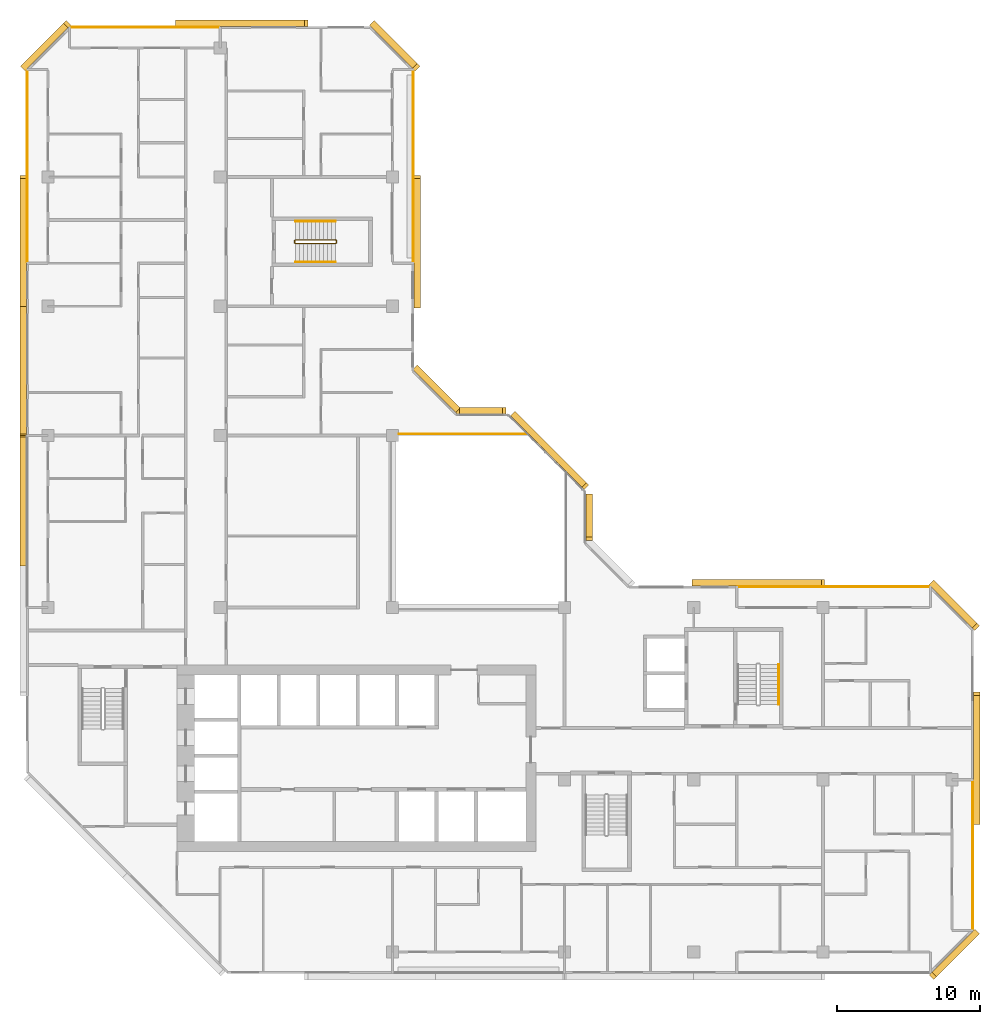
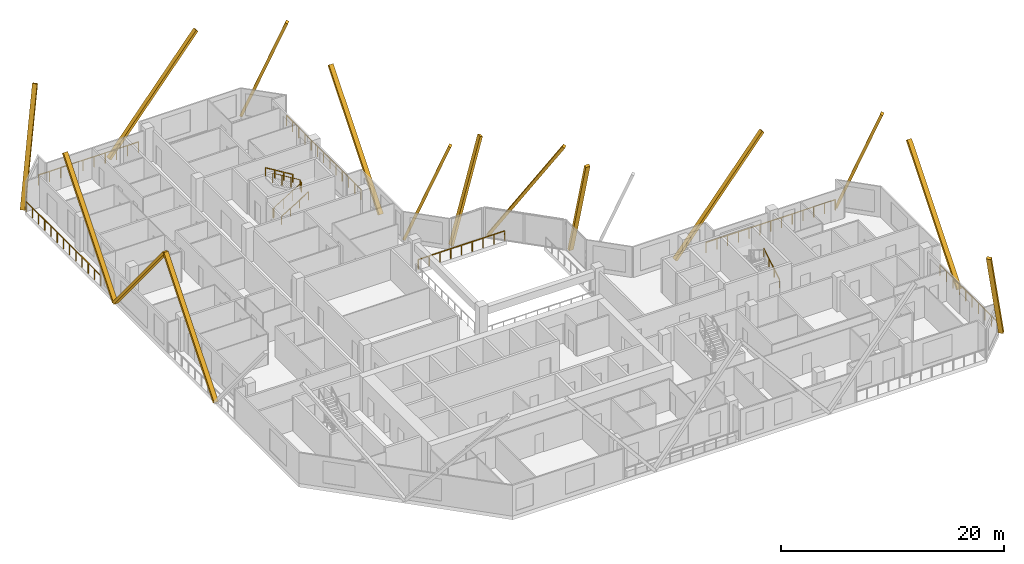
# One storey, part 14 of 14: 15 coverings, 10 railings.
"""IFC4 building model written with IfcOpenShell, lengths in metres."""

from ifc_helpers import new_model, si_unit, direction, frame, origin, origin_2d, place, context, subcontext, project, spatial, rectangle, extrude, material, material_profile, profile_set, type_object, element, save


model = new_model("IFC4")

# Units and contexts
model_context = context("Model", 3, precision=1e-05, world=origin(), true_north=direction((0.0, 1.0)))
body_context = subcontext(model_context, "Body", "Model", "MODEL_VIEW")
ifc_project = project(units=[si_unit("LENGTHUNIT", "METRE"), si_unit("AREAUNIT", "SQUARE_METRE"), si_unit("VOLUMEUNIT", "CUBIC_METRE"), si_unit("PLANEANGLEUNIT", "RADIAN"), si_unit("MASSUNIT", "GRAM", prefix="KILO")], contexts=[model_context])

# Site, building, storey
site_placement = place(None, origin())
site = spatial("IfcSite", under=ifc_project, at=site_placement, CompositionType="ELEMENT")
building_placement = place(site_placement, origin())
building = spatial("IfcBuilding", under=site, at=building_placement, Name="Chenar Terraces", CompositionType="ELEMENT")
storey_placement = place(building_placement, frame((0.0, 0.0, 234.14990234375)))
storey = spatial("IfcBuildingStorey", under=building, at=storey_placement, Name="L55", CompositionType="ELEMENT", Elevation=234.14990234375)

# Railings
ifc_material_1 = material(Name="Powder-coated steel", Category="steel")
railing_type_1 = type_object("IfcRailingType", Name="Guard 1100 steel rail with glass infill", PredefinedType="GUARDRAIL", material=ifc_material_1)
railing_1_placement = place(storey_placement, frame((24.47509765625, 36.10009765625, 0.0)))
element("IfcRailing", 1, at=railing_1_placement, inside=storey, type_object=railing_type_1, Name="Guard L55-2", PredefinedType="GUARDRAIL", context=body_context, shape_type="SweptSolid", body=[
    extrude(rectangle(XDim=0.06005859375, YDim=0.06005859375, at=origin_2d()), frame((0.0, 0.0, 1.070068359375), z_axis=(1.0, 0.0, 0.0), x_axis=(0.0, 1.0, 0.0)), (0.0, 0.0, 1.0), 8.9248046875),
    extrude(rectangle(XDim=0.050048828125, YDim=0.050048828125, at=origin_2d()), origin(), (0.0, 0.0, 1.0), 1.0400390625),
    extrude(rectangle(XDim=0.050048828125, YDim=0.050048828125, at=origin_2d()), frame((1.11572265625, 0.0, 0.0)), (0.0, 0.0, 1.0), 1.0400390625),
    extrude(rectangle(XDim=0.050048828125, YDim=0.050048828125, at=origin_2d()), frame((2.231201171875, 0.0, 0.0)), (0.0, 0.0, 1.0), 1.0400390625),
    extrude(rectangle(XDim=0.050048828125, YDim=0.050048828125, at=origin_2d()), frame((3.3466796875, 0.0, 0.0)), (0.0, 0.0, 1.0), 1.0400390625),
    extrude(rectangle(XDim=0.050048828125, YDim=0.050048828125, at=origin_2d()), frame((4.46240234375, 0.0, 0.0)), (0.0, 0.0, 1.0), 1.0400390625),
    extrude(rectangle(XDim=0.050048828125, YDim=0.050048828125, at=origin_2d()), frame((5.578125, 0.0, 0.0)), (0.0, 0.0, 1.0), 1.0400390625),
    extrude(rectangle(XDim=0.050048828125, YDim=0.050048828125, at=origin_2d()), frame((6.693603515625, 0.0, 0.0)), (0.0, 0.0, 1.0), 1.0400390625),
    extrude(rectangle(XDim=0.050048828125, YDim=0.050048828125, at=origin_2d()), frame((7.80908203125, 0.0, 0.0)), (0.0, 0.0, 1.0), 1.0400390625),
    extrude(rectangle(XDim=0.050048828125, YDim=0.050048828125, at=origin_2d()), frame((8.9248046875, 0.0, 0.0)), (0.0, 0.0, 1.0), 1.0400390625),
])
ifc_material_2 = material(Name="Stainless steel and glass", Category="steel")
railing_type_2 = type_object("IfcRailingType", Name="Loggia guard 1150", PredefinedType="GUARDRAIL", material=ifc_material_2)
railing_2_placement = place(storey_placement, frame((25.449951171875, 48.074951171875, 0.0)))
element("IfcRailing", 2, at=railing_2_placement, inside=storey, type_object=railing_type_2, Name="Loggia guard", PredefinedType="GUARDRAIL", context=body_context, shape_type="SweptSolid", body=[
    extrude(rectangle(XDim=0.048095703125, YDim=0.048095703125, at=origin_2d()), frame((0.0, 0.0, 1.1259765625), z_axis=(0.0, 1.0, 0.0), x_axis=(-1.0, 0.0, 0.0)), (0.0, 0.0, 1.0), 13.35009765625),
    extrude(rectangle(XDim=0.0419921875, YDim=0.0419921875, at=origin_2d()), origin(), (0.0, 0.0, 1.0), 1.101806640625),
    extrude(rectangle(XDim=0.0419921875, YDim=0.0419921875, at=origin_2d()), frame((0.0, 1.112548828125, 0.0)), (0.0, 0.0, 1.0), 1.101806640625),
    extrude(rectangle(XDim=0.0419921875, YDim=0.0419921875, at=origin_2d()), frame((0.0, 2.22509765625, 0.0)), (0.0, 0.0, 1.0), 1.101806640625),
    extrude(rectangle(XDim=0.0419921875, YDim=0.0419921875, at=origin_2d()), frame((0.0, 3.33740234375, 0.0)), (0.0, 0.0, 1.0), 1.101806640625),
    extrude(rectangle(XDim=0.0419921875, YDim=0.0419921875, at=origin_2d()), frame((0.0, 4.449951171875, 0.0)), (0.0, 0.0, 1.0), 1.101806640625),
    extrude(rectangle(XDim=0.0419921875, YDim=0.0419921875, at=origin_2d()), frame((0.0, 5.5625, 0.0)), (0.0, 0.0, 1.0), 1.101806640625),
    extrude(rectangle(XDim=0.0419921875, YDim=0.0419921875, at=origin_2d()), frame((0.0, 6.675048828125, 0.0)), (0.0, 0.0, 1.0), 1.101806640625),
    extrude(rectangle(XDim=0.0419921875, YDim=0.0419921875, at=origin_2d()), frame((0.0, 7.78759765625, 0.0)), (0.0, 0.0, 1.0), 1.101806640625),
    extrude(rectangle(XDim=0.0419921875, YDim=0.0419921875, at=origin_2d()), frame((0.0, 8.900146484375, 0.0)), (0.0, 0.0, 1.0), 1.101806640625),
    extrude(rectangle(XDim=0.0419921875, YDim=0.0419921875, at=origin_2d()), frame((0.0, 10.0126953125, 0.0)), (0.0, 0.0, 1.0), 1.101806640625),
    extrude(rectangle(XDim=0.0419921875, YDim=0.0419921875, at=origin_2d()), frame((0.0, 11.125, 0.0)), (0.0, 0.0, 1.0), 1.101806640625),
    extrude(rectangle(XDim=0.0419921875, YDim=0.0419921875, at=origin_2d()), frame((0.0, 12.237548828125, 0.0)), (0.0, 0.0, 1.0), 1.101806640625),
    extrude(rectangle(XDim=0.0419921875, YDim=0.0419921875, at=origin_2d()), frame((0.0, 13.35009765625, 0.0)), (0.0, 0.0, 1.0), 1.101806640625),
])
railing_3_placement = place(storey_placement, frame((64.449951171875, 1.574951171875, 0.0)))
element("IfcRailing", 3, at=railing_3_placement, inside=storey, type_object=railing_type_2, Name="Loggia guard", PredefinedType="GUARDRAIL", context=body_context, shape_type="SweptSolid", body=[
    extrude(rectangle(XDim=0.048095703125, YDim=0.048095703125, at=origin_2d()), frame((0.0, 0.0, 1.1259765625), z_axis=(0.0, 1.0, 0.0), x_axis=(-1.0, 0.0, 0.0)), (0.0, 0.0, 1.0), 10.35009765625),
    extrude(rectangle(XDim=0.0419921875, YDim=0.0419921875, at=origin_2d()), origin(), (0.0, 0.0, 1.0), 1.101806640625),
    extrude(rectangle(XDim=0.0419921875, YDim=0.0419921875, at=origin_2d()), frame((0.0, 1.14990234375, 0.0)), (0.0, 0.0, 1.0), 1.101806640625),
    extrude(rectangle(XDim=0.0419921875, YDim=0.0419921875, at=origin_2d()), frame((0.0, 2.300048828125, 0.0)), (0.0, 0.0, 1.0), 1.101806640625),
    extrude(rectangle(XDim=0.0419921875, YDim=0.0419921875, at=origin_2d()), frame((0.0, 3.449951171875, 0.0)), (0.0, 0.0, 1.0), 1.101806640625),
    extrude(rectangle(XDim=0.0419921875, YDim=0.0419921875, at=origin_2d()), frame((0.0, 4.60009765625, 0.0)), (0.0, 0.0, 1.0), 1.101806640625),
    extrude(rectangle(XDim=0.0419921875, YDim=0.0419921875, at=origin_2d()), frame((0.0, 5.75, 0.0)), (0.0, 0.0, 1.0), 1.101806640625),
    extrude(rectangle(XDim=0.0419921875, YDim=0.0419921875, at=origin_2d()), frame((0.0, 6.900146484375, 0.0)), (0.0, 0.0, 1.0), 1.101806640625),
    extrude(rectangle(XDim=0.0419921875, YDim=0.0419921875, at=origin_2d()), frame((0.0, 8.050048828125, 0.0)), (0.0, 0.0, 1.0), 1.101806640625),
    extrude(rectangle(XDim=0.0419921875, YDim=0.0419921875, at=origin_2d()), frame((0.0, 9.2001953125, 0.0)), (0.0, 0.0, 1.0), 1.101806640625),
    extrude(rectangle(XDim=0.0419921875, YDim=0.0419921875, at=origin_2d()), frame((0.0, 10.35009765625, 0.0)), (0.0, 0.0, 1.0), 1.101806640625),
])
railing_4_placement = place(storey_placement, frame((61.425048828125, 25.449951171875, 0.0)))
element("IfcRailing", 4, at=railing_4_placement, inside=storey, type_object=railing_type_2, Name="Loggia guard", PredefinedType="GUARDRAIL", context=body_context, shape_type="SweptSolid", body=[
    extrude(rectangle(XDim=0.048095703125, YDim=0.048095703125, at=origin_2d()), frame((0.0, 0.0, 1.1259765625), z_axis=(-1.0, 0.0, 0.0), x_axis=(0.0, -1.0, 0.0)), (0.0, 0.0, 1.0), 13.35009765625),
    extrude(rectangle(XDim=0.0419921875, YDim=0.0419921875, at=origin_2d()), origin(), (0.0, 0.0, 1.0), 1.101806640625),
    extrude(rectangle(XDim=0.0419921875, YDim=0.0419921875, at=origin_2d()), frame((-1.112548828125, 0.0, 0.0)), (0.0, 0.0, 1.0), 1.101806640625),
    extrude(rectangle(XDim=0.0419921875, YDim=0.0419921875, at=origin_2d()), frame((-2.22509765625, 0.0, 0.0)), (0.0, 0.0, 1.0), 1.101806640625),
    extrude(rectangle(XDim=0.0419921875, YDim=0.0419921875, at=origin_2d()), frame((-3.33740234375, 0.0, 0.0)), (0.0, 0.0, 1.0), 1.101806640625),
    extrude(rectangle(XDim=0.0419921875, YDim=0.0419921875, at=origin_2d()), frame((-4.449951171875, 0.0, 0.0)), (0.0, 0.0, 1.0), 1.101806640625),
    extrude(rectangle(XDim=0.0419921875, YDim=0.0419921875, at=origin_2d()), frame((-5.5625, 0.0, 0.0)), (0.0, 0.0, 1.0), 1.101806640625),
    extrude(rectangle(XDim=0.0419921875, YDim=0.0419921875, at=origin_2d()), frame((-6.675048828125, 0.0, 0.0)), (0.0, 0.0, 1.0), 1.101806640625),
    extrude(rectangle(XDim=0.0419921875, YDim=0.0419921875, at=origin_2d()), frame((-7.78759765625, 0.0, 0.0)), (0.0, 0.0, 1.0), 1.101806640625),
    extrude(rectangle(XDim=0.0419921875, YDim=0.0419921875, at=origin_2d()), frame((-8.900146484375, 0.0, 0.0)), (0.0, 0.0, 1.0), 1.101806640625),
    extrude(rectangle(XDim=0.0419921875, YDim=0.0419921875, at=origin_2d()), frame((-10.0126953125, 0.0, 0.0)), (0.0, 0.0, 1.0), 1.101806640625),
    extrude(rectangle(XDim=0.0419921875, YDim=0.0419921875, at=origin_2d()), frame((-11.125, 0.0, 0.0)), (0.0, 0.0, 1.0), 1.101806640625),
    extrude(rectangle(XDim=0.0419921875, YDim=0.0419921875, at=origin_2d()), frame((-12.237548828125, 0.0, 0.0)), (0.0, 0.0, 1.0), 1.101806640625),
    extrude(rectangle(XDim=0.0419921875, YDim=0.0419921875, at=origin_2d()), frame((-13.35009765625, 0.0, 0.0)), (0.0, 0.0, 1.0), 1.101806640625),
])
railing_5_placement = place(storey_placement, frame((11.925048828125, 64.449951171875, 0.0)))
element("IfcRailing", 5, at=railing_5_placement, inside=storey, type_object=railing_type_2, Name="Loggia guard", PredefinedType="GUARDRAIL", context=body_context, shape_type="SweptSolid", body=[
    extrude(rectangle(XDim=0.048095703125, YDim=0.048095703125, at=origin_2d()), frame((0.0, 0.0, 1.1259765625), z_axis=(-1.0, 0.0, 0.0), x_axis=(0.0, -1.0, 0.0)), (0.0, 0.0, 1.0), 10.35009765625),
    extrude(rectangle(XDim=0.0419921875, YDim=0.0419921875, at=origin_2d()), origin(), (0.0, 0.0, 1.0), 1.101806640625),
    extrude(rectangle(XDim=0.0419921875, YDim=0.0419921875, at=origin_2d()), frame((-1.14990234375, 0.0, 0.0)), (0.0, 0.0, 1.0), 1.101806640625),
    extrude(rectangle(XDim=0.0419921875, YDim=0.0419921875, at=origin_2d()), frame((-2.300048828125, 0.0, 0.0)), (0.0, 0.0, 1.0), 1.101806640625),
    extrude(rectangle(XDim=0.0419921875, YDim=0.0419921875, at=origin_2d()), frame((-3.449951171875, 0.0, 0.0)), (0.0, 0.0, 1.0), 1.101806640625),
    extrude(rectangle(XDim=0.0419921875, YDim=0.0419921875, at=origin_2d()), frame((-4.60009765625, 0.0, 0.0)), (0.0, 0.0, 1.0), 1.101806640625),
    extrude(rectangle(XDim=0.0419921875, YDim=0.0419921875, at=origin_2d()), frame((-5.75, 0.0, 0.0)), (0.0, 0.0, 1.0), 1.101806640625),
    extrude(rectangle(XDim=0.0419921875, YDim=0.0419921875, at=origin_2d()), frame((-6.900146484375, 0.0, 0.0)), (0.0, 0.0, 1.0), 1.101806640625),
    extrude(rectangle(XDim=0.0419921875, YDim=0.0419921875, at=origin_2d()), frame((-8.050048828125, 0.0, 0.0)), (0.0, 0.0, 1.0), 1.101806640625),
    extrude(rectangle(XDim=0.0419921875, YDim=0.0419921875, at=origin_2d()), frame((-9.2001953125, 0.0, 0.0)), (0.0, 0.0, 1.0), 1.101806640625),
    extrude(rectangle(XDim=0.0419921875, YDim=0.0419921875, at=origin_2d()), frame((-10.35009765625, 0.0, 0.0)), (0.0, 0.0, 1.0), 1.101806640625),
])
railing_6_placement = place(storey_placement, frame((-1.449951171875, 61.425048828125, 0.0)))
element("IfcRailing", 6, at=railing_6_placement, inside=storey, type_object=railing_type_2, Name="Loggia guard", PredefinedType="GUARDRAIL", context=body_context, shape_type="SweptSolid", body=[
    extrude(rectangle(XDim=0.048095703125, YDim=0.048095703125, at=origin_2d()), frame((0.0, 0.0, 1.1259765625), z_axis=(0.0, -1.0, 0.0), x_axis=(1.0, 0.0, 0.0)), (0.0, 0.0, 1.0), 13.35009765625),
    extrude(rectangle(XDim=0.0419921875, YDim=0.0419921875, at=origin_2d()), origin(), (0.0, 0.0, 1.0), 1.101806640625),
    extrude(rectangle(XDim=0.0419921875, YDim=0.0419921875, at=origin_2d()), frame((0.0, -1.112548828125, 0.0)), (0.0, 0.0, 1.0), 1.101806640625),
    extrude(rectangle(XDim=0.0419921875, YDim=0.0419921875, at=origin_2d()), frame((0.0, -2.22509765625, 0.0)), (0.0, 0.0, 1.0), 1.101806640625),
    extrude(rectangle(XDim=0.0419921875, YDim=0.0419921875, at=origin_2d()), frame((0.0, -3.33740234375, 0.0)), (0.0, 0.0, 1.0), 1.101806640625),
    extrude(rectangle(XDim=0.0419921875, YDim=0.0419921875, at=origin_2d()), frame((0.0, -4.449951171875, 0.0)), (0.0, 0.0, 1.0), 1.101806640625),
    extrude(rectangle(XDim=0.0419921875, YDim=0.0419921875, at=origin_2d()), frame((0.0, -5.5625, 0.0)), (0.0, 0.0, 1.0), 1.101806640625),
    extrude(rectangle(XDim=0.0419921875, YDim=0.0419921875, at=origin_2d()), frame((0.0, -6.675048828125, 0.0)), (0.0, 0.0, 1.0), 1.101806640625),
    extrude(rectangle(XDim=0.0419921875, YDim=0.0419921875, at=origin_2d()), frame((0.0, -7.78759765625, 0.0)), (0.0, 0.0, 1.0), 1.101806640625),
    extrude(rectangle(XDim=0.0419921875, YDim=0.0419921875, at=origin_2d()), frame((0.0, -8.900146484375, 0.0)), (0.0, 0.0, 1.0), 1.101806640625),
    extrude(rectangle(XDim=0.0419921875, YDim=0.0419921875, at=origin_2d()), frame((0.0, -10.0126953125, 0.0)), (0.0, 0.0, 1.0), 1.101806640625),
    extrude(rectangle(XDim=0.0419921875, YDim=0.0419921875, at=origin_2d()), frame((0.0, -11.125, 0.0)), (0.0, 0.0, 1.0), 1.101806640625),
    extrude(rectangle(XDim=0.0419921875, YDim=0.0419921875, at=origin_2d()), frame((0.0, -12.237548828125, 0.0)), (0.0, 0.0, 1.0), 1.101806640625),
    extrude(rectangle(XDim=0.0419921875, YDim=0.0419921875, at=origin_2d()), frame((0.0, -13.35009765625, 0.0)), (0.0, 0.0, 1.0), 1.101806640625),
])
ifc_material_3 = material(Name="Powder-coated steel", Category="steel")
railing_type_3 = type_object("IfcRailingType", Name="Stair guard 1100", PredefinedType="GUARDRAIL", material=ifc_material_3)
railing_7_placement = place(storey_placement, frame((17.25, 49.625, 3.75)))
element("IfcRailing", 7, at=railing_7_placement, inside=storey, type_object=railing_type_3, Name="L55 ST4 stair guard 1", PredefinedType="GUARDRAIL", context=body_context, shape_type="SweptSolid", body=[
    extrude(rectangle(XDim=0.048095703125, YDim=0.048095703125, at=origin_2d()), frame((0.0, 0.0, 1.076171875), z_axis=(0.854202870247, 0.0, -0.519939858505), x_axis=(0.0, 1.0, 0.0)), (0.0, 0.0, 1.0), 3.278076171875),
    extrude(rectangle(XDim=0.048095703125, YDim=0.048095703125, at=origin_2d()), frame((2.800048828125, 0.0, -0.62841796875), z_axis=(0.270899902878, -0.270899902878, -0.923702595667), x_axis=(0.707106781187, 0.707106781187, 0.0)), (0.0, 0.0, 1.0), 0.184814453125),
    extrude(rectangle(XDim=0.048095703125, YDim=0.048095703125, at=origin_2d()), frame((2.85009765625, -0.050048828125, -0.798828125), z_axis=(0.0, -1.0, 0.0), x_axis=(1.0, 0.0, 0.0)), (0.0, 0.0, 1.0), 0.14990234375),
    extrude(rectangle(XDim=0.048095703125, YDim=0.048095703125, at=origin_2d()), frame((2.85009765625, -0.199951171875, -0.798828125), z_axis=(-0.707106781187, -0.707106781187, 0.0), x_axis=(0.707106781187, -0.707106781187, 0.0)), (0.0, 0.0, 1.0), 0.07080078125),
    extrude(rectangle(XDim=0.048095703125, YDim=0.048095703125, at=origin_2d()), frame((2.800048828125, -0.25, -0.798828125), z_axis=(-0.854202870247, 0.0, -0.519939858505), x_axis=(0.0, -1.0, 0.0)), (0.0, 0.0, 1.0), 3.278076171875),
    extrude(rectangle(XDim=0.048095703125, YDim=0.048095703125, at=origin_2d()), frame((0.0, -0.25, -2.50341796875), z_axis=(-0.270899902878, 0.270899902878, -0.923702595667), x_axis=(-0.707106781187, -0.707106781187, 0.0)), (0.0, 0.0, 1.0), 0.184814453125),
    extrude(rectangle(XDim=0.048095703125, YDim=0.048095703125, at=origin_2d()), frame((-0.050048828125, -0.199951171875, -2.673828125), z_axis=(0.0, 1.0, 0.0), x_axis=(-1.0, 0.0, 0.0)), (0.0, 0.0, 1.0), 0.14990234375),
    extrude(rectangle(XDim=0.0419921875, YDim=0.0419921875, at=origin_2d()), origin(), (0.0, 0.0, 1.0), 1.052001953125),
    extrude(rectangle(XDim=0.0419921875, YDim=0.0419921875, at=origin_2d()), frame((0.933349609375, 0.0, -0.568115234375)), (0.0, 0.0, 1.0), 1.052001953125),
    extrude(rectangle(XDim=0.0419921875, YDim=0.0419921875, at=origin_2d()), frame((1.86669921875, 0.0, -1.13623046875)), (0.0, 0.0, 1.0), 1.052001953125),
    extrude(rectangle(XDim=0.0419921875, YDim=0.0419921875, at=origin_2d()), frame((2.800048828125, 0.0, -1.704345703125)), (0.0, 0.0, 1.0), 1.052001953125),
    extrude(rectangle(XDim=0.0419921875, YDim=0.0419921875, at=origin_2d()), frame((2.85009765625, -0.050048828125, -1.875)), (0.0, 0.0, 1.0), 1.052001953125),
    extrude(rectangle(XDim=0.0419921875, YDim=0.0419921875, at=origin_2d()), frame((2.85009765625, -0.199951171875, -1.875)), (0.0, 0.0, 1.0), 1.052001953125),
    extrude(rectangle(XDim=0.0419921875, YDim=0.0419921875, at=origin_2d()), frame((2.800048828125, -0.25, -1.875)), (0.0, 0.0, 1.0), 1.052001953125),
    extrude(rectangle(XDim=0.0419921875, YDim=0.0419921875, at=origin_2d()), frame((1.86669921875, -0.25, -2.443115234375)), (0.0, 0.0, 1.0), 1.052001953125),
    extrude(rectangle(XDim=0.0419921875, YDim=0.0419921875, at=origin_2d()), frame((0.933349609375, -0.25, -3.01123046875)), (0.0, 0.0, 1.0), 1.052001953125),
    extrude(rectangle(XDim=0.0419921875, YDim=0.0419921875, at=origin_2d()), frame((0.0, -0.25, -3.579345703125)), (0.0, 0.0, 1.0), 1.052001953125),
    extrude(rectangle(XDim=0.0419921875, YDim=0.0419921875, at=origin_2d()), frame((-0.050048828125, -0.199951171875, -3.75)), (0.0, 0.0, 1.0), 1.052001953125),
    extrude(rectangle(XDim=0.0419921875, YDim=0.0419921875, at=origin_2d()), frame((-0.050048828125, -0.050048828125, -3.75)), (0.0, 0.0, 1.0), 1.052001953125),
])
ifc_material_4 = material(Name="Powder-coated steel", Category="steel")
railing_type_4 = type_object("IfcRailingType", Name="Stair handrail 900", PredefinedType="HANDRAIL", material=ifc_material_4)
railing_8_placement = place(storey_placement, frame((50.925048828125, 17.25, 0.170654296875)))
element("IfcRailing", 8, at=railing_8_placement, inside=storey, type_object=railing_type_4, Name="L55 ST3 stair handrail 1", PredefinedType="HANDRAIL", context=body_context, shape_type="SweptSolid", body=[
    extrude(rectangle(XDim=0.048095703125, YDim=0.048095703125, at=origin_2d()), frame((0.0, 0.0, 0.8759765625), z_axis=(0.0, 0.854202870247, 0.519939858505), x_axis=(-1.0, 0.0, 0.0)), (0.0, 0.0, 1.0), 3.278076171875),
    extrude(rectangle(XDim=0.0419921875, YDim=0.0419921875, at=origin_2d()), origin(), (0.0, 0.0, 1.0), 0.851806640625),
    extrude(rectangle(XDim=0.0419921875, YDim=0.0419921875, at=origin_2d()), frame((0.0, 0.933349609375, 0.568115234375)), (0.0, 0.0, 1.0), 0.851806640625),
    extrude(rectangle(XDim=0.0419921875, YDim=0.0419921875, at=origin_2d()), frame((0.0, 1.86669921875, 1.13623046875)), (0.0, 0.0, 1.0), 0.851806640625),
    extrude(rectangle(XDim=0.0419921875, YDim=0.0419921875, at=origin_2d()), frame((0.0, 2.800048828125, 1.704345703125)), (0.0, 0.0, 1.0), 0.851806640625),
])
railing_9_placement = place(storey_placement, frame((17.25, 48.074951171875, 0.170654296875)))
element("IfcRailing", 9, at=railing_9_placement, inside=storey, type_object=railing_type_4, Name="L55 ST4 stair handrail 1", PredefinedType="HANDRAIL", context=body_context, shape_type="SweptSolid", body=[
    extrude(rectangle(XDim=0.048095703125, YDim=0.048095703125, at=origin_2d()), frame((0.0, 0.0, 0.8759765625), z_axis=(0.854202870247, 0.0, 0.519939858505), x_axis=(0.0, 1.0, 0.0)), (0.0, 0.0, 1.0), 3.278076171875),
    extrude(rectangle(XDim=0.0419921875, YDim=0.0419921875, at=origin_2d()), origin(), (0.0, 0.0, 1.0), 0.851806640625),
    extrude(rectangle(XDim=0.0419921875, YDim=0.0419921875, at=origin_2d()), frame((0.933349609375, 0.0, 0.568115234375)), (0.0, 0.0, 1.0), 0.851806640625),
    extrude(rectangle(XDim=0.0419921875, YDim=0.0419921875, at=origin_2d()), frame((1.86669921875, 0.0, 1.13623046875)), (0.0, 0.0, 1.0), 0.851806640625),
    extrude(rectangle(XDim=0.0419921875, YDim=0.0419921875, at=origin_2d()), frame((2.800048828125, 0.0, 1.704345703125)), (0.0, 0.0, 1.0), 0.851806640625),
])
railing_10_placement = place(storey_placement, frame((20.050048828125, 50.925048828125, 2.045654296875)))
element("IfcRailing", 10, at=railing_10_placement, inside=storey, type_object=railing_type_4, Name="L55 ST4 stair handrail 2", PredefinedType="HANDRAIL", context=body_context, shape_type="SweptSolid", body=[
    extrude(rectangle(XDim=0.048095703125, YDim=0.048095703125, at=origin_2d()), frame((0.0, 0.0, 0.8759765625), z_axis=(-0.854202870247, 0.0, 0.519939858505), x_axis=(0.0, -1.0, 0.0)), (0.0, 0.0, 1.0), 3.278076171875),
    extrude(rectangle(XDim=0.0419921875, YDim=0.0419921875, at=origin_2d()), origin(), (0.0, 0.0, 1.0), 0.851806640625),
    extrude(rectangle(XDim=0.0419921875, YDim=0.0419921875, at=origin_2d()), frame((-0.933349609375, 0.0, 0.568115234375)), (0.0, 0.0, 1.0), 0.851806640625),
    extrude(rectangle(XDim=0.0419921875, YDim=0.0419921875, at=origin_2d()), frame((-1.86669921875, 0.0, 1.13623046875)), (0.0, 0.0, 1.0), 0.851806640625),
    extrude(rectangle(XDim=0.0419921875, YDim=0.0419921875, at=origin_2d()), frame((-2.800048828125, 0.0, 1.704345703125)), (0.0, 0.0, 1.0), 0.851806640625),
])

# Coverings
ifc_material_5 = material(Name="Terracotta", Category="masonry")
ifc_material_profile = material_profile(ifc_material_5, rectangle(XDim=0.449951171875, YDim=0.280029296875, at=origin_2d()), Name="Terracotta baguette 450 x 280")
ifc_profile_set = profile_set([ifc_material_profile], Name="Terracotta")
covering_type = type_object("IfcCoveringType", Name="Terracotta baguette 450 x 280", PredefinedType="CLADDING", material=ifc_profile_set)
covering_1_placement = place(storey_placement, frame((54.0, 25.72509765625, 11.10009765625), z_axis=(-0.634966765532, 0.0, -0.772539453148), x_axis=(0.0, -1.0, 0.0)))
element("IfcCovering", 11, at=covering_1_placement, inside=storey, type_object=covering_type, Name="Terracotta baguette", PredefinedType="CLADDING", context=body_context, shape_type="SweptSolid", body=[
    extrude(rectangle(XDim=0.449951171875, YDim=0.280029296875, at=origin_2d()), origin(), (0.0, 0.0, 1.0), 14.174072265625),
])
covering_2_placement = place(storey_placement, frame((37.72509765625, 28.800048828125, 11.10009765625), z_axis=(0.0, 0.26423624309, -0.964457986559), x_axis=(-1.0, 0.0, 0.0)))
element("IfcCovering", 12, at=covering_2_placement, inside=storey, type_object=covering_type, Name="Terracotta baguette", PredefinedType="CLADDING", context=body_context, shape_type="SweptSolid", body=[
    extrude(rectangle(XDim=0.449951171875, YDim=0.280029296875, at=origin_2d()), origin(), (0.0, 0.0, 1.0), 11.353515625),
])
covering_3_placement = place(storey_placement, frame((37.447021484375, 32.47119140625, 11.10009765625), z_axis=(-0.382282332253, 0.382282332253, -0.841261217991), x_axis=(-0.707106781187, -0.707106781187, 0.0)))
element("IfcCovering", 13, at=covering_3_placement, inside=storey, type_object=covering_type, Name="Terracotta baguette", PredefinedType="CLADDING", context=body_context, shape_type="SweptSolid", body=[
    extrude(rectangle(XDim=0.449951171875, YDim=0.280029296875, at=origin_2d()), origin(), (0.0, 0.0, 1.0), 13.01611328125),
])
covering_4_placement = place(storey_placement, frame((31.800048828125, 37.72509765625, 11.10009765625), z_axis=(-0.26423624309, 0.0, -0.964457986559), x_axis=(0.0, -1.0, 0.0)))
element("IfcCovering", 14, at=covering_4_placement, inside=storey, type_object=covering_type, Name="Terracotta baguette", PredefinedType="CLADDING", context=body_context, shape_type="SweptSolid", body=[
    extrude(rectangle(XDim=0.449951171875, YDim=0.280029296875, at=origin_2d()), origin(), (0.0, 0.0, 1.0), 11.353515625),
])
covering_5_placement = place(storey_placement, frame((28.6591796875, 37.6591796875, 11.10009765625), z_axis=(-0.255468212233, 0.255468212233, -0.932454816641), x_axis=(-0.707106781187, -0.707106781187, 0.0)))
element("IfcCovering", 15, at=covering_5_placement, inside=storey, type_object=covering_type, Name="Terracotta baguette", PredefinedType="CLADDING", context=body_context, shape_type="SweptSolid", body=[
    extrude(rectangle(XDim=0.449951171875, YDim=0.280029296875, at=origin_2d()), origin(), (0.0, 0.0, 1.0), 11.7431640625),
])
covering_6_placement = place(storey_placement, frame((25.72509765625, 45.0, 0.150146484375), z_axis=(0.0, 0.634966765532, 0.772539453148), x_axis=(-1.0, 0.0, 0.0)))
element("IfcCovering", 16, at=covering_6_placement, inside=storey, type_object=covering_type, Name="Terracotta baguette", PredefinedType="CLADDING", context=body_context, shape_type="SweptSolid", body=[
    extrude(rectangle(XDim=0.449951171875, YDim=0.280029296875, at=origin_2d()), origin(), (0.0, 0.0, 1.0), 14.174072265625),
])
covering_7_placement = place(storey_placement, frame((25.6591796875, 61.6591796875, 11.10009765625), z_axis=(-0.255468212233, 0.255468212233, -0.932454816641), x_axis=(-0.707106781187, -0.707106781187, 0.0)))
element("IfcCovering", 17, at=covering_7_placement, inside=storey, type_object=covering_type, Name="Terracotta baguette", PredefinedType="CLADDING", context=body_context, shape_type="SweptSolid", body=[
    extrude(rectangle(XDim=0.449951171875, YDim=0.280029296875, at=origin_2d()), origin(), (0.0, 0.0, 1.0), 11.7431640625),
])
covering_8_placement = place(storey_placement, frame((18.0, 64.72509765625, 11.10009765625), z_axis=(-0.634966765532, 0.0, -0.772539453148), x_axis=(0.0, -1.0, 0.0)))
element("IfcCovering", 18, at=covering_8_placement, inside=storey, type_object=covering_type, Name="Terracotta baguette", PredefinedType="CLADDING", context=body_context, shape_type="SweptSolid", body=[
    extrude(rectangle(XDim=0.449951171875, YDim=0.280029296875, at=origin_2d()), origin(), (0.0, 0.0, 1.0), 14.174072265625),
])
covering_9_placement = place(storey_placement, frame((1.3408203125, 64.6591796875, 11.10009765625), z_axis=(-0.255468212233, -0.255468212233, -0.932454816641), x_axis=(0.707106781187, -0.707106781187, 0.0)))
element("IfcCovering", 19, at=covering_9_placement, inside=storey, type_object=covering_type, Name="Terracotta baguette", PredefinedType="CLADDING", context=body_context, shape_type="SweptSolid", body=[
    extrude(rectangle(XDim=0.449951171875, YDim=0.280029296875, at=origin_2d()), origin(), (0.0, 0.0, 1.0), 11.7431640625),
])
for number, where, z_axis, x_axis, name in (
    (20, (-1.72509765625, 54.0, 11.10009765625), (0.0, -0.634966765532, -0.772539453148), (1.0, 0.0, 0.0), "Terracotta baguette"),
    (21, (-1.72509765625, 45.0, 0.150146484375), (0.0, -0.634966765532, 0.772539453148), (1.0, 0.0, 0.0), "Terracotta baguette"),
    (22, (-1.72509765625, 36.0, 11.10009765625), (0.0, -0.634966765532, -0.772539453148), (1.0, 0.0, 0.0), "Terracotta baguette"),
):
    element("IfcCovering", number, at=place(storey_placement, frame(where, z_axis=z_axis, x_axis=x_axis)), inside=storey, type_object=covering_type, Name=name, PredefinedType="CLADDING", context=body_context, shape_type="SweptSolid", body=[
        extrude(rectangle(XDim=0.449951171875, YDim=0.280029296875, at=origin_2d()), origin(), (0.0, 0.0, 1.0), 14.174072265625),
    ])
covering_10_placement = place(storey_placement, frame((61.6591796875, -1.6591796875, 11.10009765625), z_axis=(0.255468212233, 0.255468212233, -0.932454816641), x_axis=(-0.707106781187, 0.707106781187, 0.0)))
element("IfcCovering", 23, at=covering_10_placement, inside=storey, type_object=covering_type, Name="Terracotta baguette", PredefinedType="CLADDING", context=body_context, shape_type="SweptSolid", body=[
    extrude(rectangle(XDim=0.449951171875, YDim=0.280029296875, at=origin_2d()), origin(), (0.0, 0.0, 1.0), 11.7431640625),
])
covering_11_placement = place(storey_placement, frame((64.72509765625, 9.0, 0.150146484375), z_axis=(0.0, 0.634966765532, 0.772539453148), x_axis=(-1.0, 0.0, 0.0)))
element("IfcCovering", 24, at=covering_11_placement, inside=storey, type_object=covering_type, Name="Terracotta baguette", PredefinedType="CLADDING", context=body_context, shape_type="SweptSolid", body=[
    extrude(rectangle(XDim=0.449951171875, YDim=0.280029296875, at=origin_2d()), origin(), (0.0, 0.0, 1.0), 14.174072265625),
])
covering_12_placement = place(storey_placement, frame((64.6591796875, 22.6591796875, 11.10009765625), z_axis=(-0.255468212233, 0.255468212233, -0.932454816641), x_axis=(-0.707106781187, -0.707106781187, 0.0)))
element("IfcCovering", 25, at=covering_12_placement, inside=storey, type_object=covering_type, Name="Terracotta baguette", PredefinedType="CLADDING", context=body_context, shape_type="SweptSolid", body=[
    extrude(rectangle(XDim=0.449951171875, YDim=0.280029296875, at=origin_2d()), origin(), (0.0, 0.0, 1.0), 11.7431640625),
])

save(model, "model.ifc")
